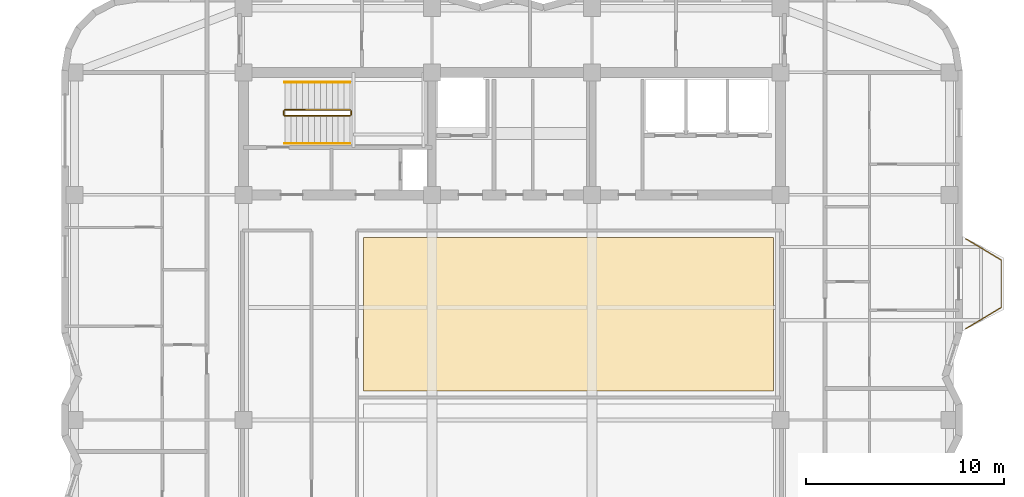
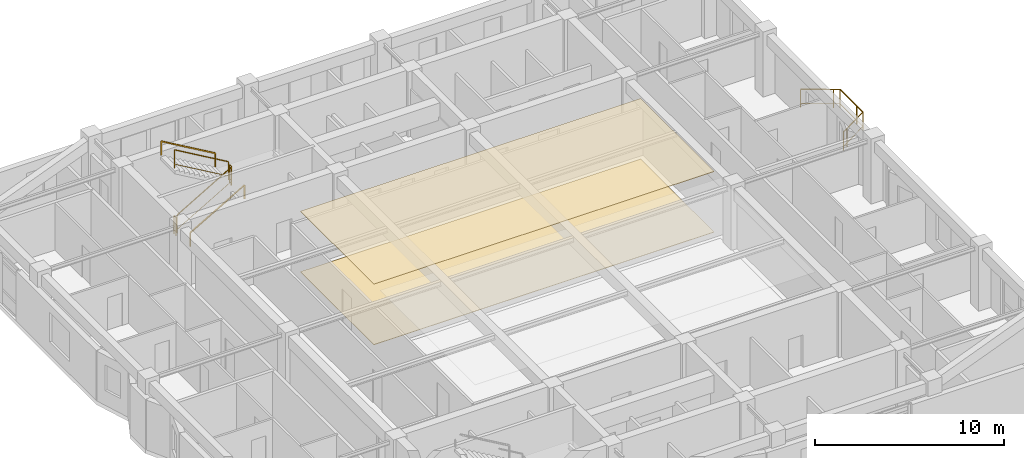
# One storey, part 11 of 11: 7 railings, 2 coverings.
"""IFC4 building model written with IfcOpenShell, lengths in metres."""

from ifc_helpers import new_model, si_unit, direction, frame, origin, origin_2d, place, context, subcontext, project, spatial, polyline, rectangle, outline, extrude, material, layer, layer_set, type_object, element, save


model = new_model("IFC4")

# Units and contexts
model_context = context("Model", 3, precision=1e-05, world=origin(), true_north=direction((0.0, 1.0)))
body_context = subcontext(model_context, "Body", "Model", "MODEL_VIEW")
ifc_project = project(units=[si_unit("LENGTHUNIT", "METRE"), si_unit("AREAUNIT", "SQUARE_METRE"), si_unit("VOLUMEUNIT", "CUBIC_METRE"), si_unit("PLANEANGLEUNIT", "RADIAN"), si_unit("MASSUNIT", "GRAM", prefix="KILO")], contexts=[model_context])

# Site, building, storey
site_placement = place(None, origin())
site = spatial("IfcSite", under=ifc_project, at=site_placement, CompositionType="ELEMENT")
building_placement = place(site_placement, origin())
building = spatial("IfcBuilding", under=site, at=building_placement, Name="Svetorya Sky Lyceum", CompositionType="ELEMENT")
storey_placement = place(building_placement, frame((0.0, 0.0, 203.10009765625)))
storey = spatial("IfcBuildingStorey", under=building, at=storey_placement, Name="L50", CompositionType="ELEMENT", Elevation=203.10009765625)

# Coverings
ifc_material_1 = material(Name="Fire-retardant birch acoustic slat ceiling")
ifc_layer_1 = layer(ifc_material_1, 0.031982421875)
ifc_layer_set_1 = layer_set([ifc_layer_1], Name="Fire-retardant birch acoustic slat ceiling")
covering_type_1 = type_object("IfcCoveringType", Name="COV-CLG-WD32", PredefinedType="CEILING", material=ifc_layer_set_1)
covering_1_placement = place(storey_placement, frame((0.0, 0.0, 3.907958984375)))
element("IfcCovering", 1, at=covering_1_placement, inside=storey, type_object=covering_type_1, Name="Sky Club L50 Lounge Acoustic Ceiling", PredefinedType="CEILING", context=body_context, shape_type="SweptSolid", body=[
    extrude(outline(polyline([(31.669921875, 29.678466796875), (52.449951171875, 29.678466796875), (52.449951171875, 37.449951171875), (31.669921875, 37.449951171875), (31.669921875, 29.678466796875)])), origin(), (0.0, 0.0, 1.0), 0.031982421875),
])
ifc_material_2 = material(Name="Vitrified porcelain slip-resistant tile flooring")
ifc_layer_2 = layer(ifc_material_2, 0.02587890625)
ifc_layer_set_2 = layer_set([ifc_layer_2], Name="Vitrified porcelain slip-resistant tile flooring")
covering_type_2 = type_object("IfcCoveringType", Name="COV-FLR-POR26", PredefinedType="FLOORING", material=ifc_layer_set_2)
covering_2_placement = place(storey_placement, origin())
element("IfcCovering", 2, at=covering_2_placement, inside=storey, type_object=covering_type_2, Name="Sky Club L50 Lounge Architectural Flooring", PredefinedType="FLOORING", context=body_context, shape_type="SweptSolid", body=[
    extrude(outline(polyline([(31.669921875, 29.678466796875), (52.449951171875, 29.678466796875), (52.449951171875, 37.449951171875), (31.669921875, 37.449951171875), (31.669921875, 29.678466796875)])), origin(), (0.0, 0.0, 1.0), 0.02587890625),
])

# Railings
ifc_material_3 = material(Name="Laminated safety glass and stainless AISI 316", Category="glass")
railing_type_1 = type_object("IfcRailingType", Name="RL-BAL-1200", PredefinedType="BALUSTRADE", material=ifc_material_3)
railing_1_placement = place(storey_placement, frame((62.169921875, 37.3798828125, 0.0)))
element("IfcRailing", 3, at=railing_1_placement, inside=storey, type_object=railing_type_1, Name="L50 Balcony Balustrade BAL-E1", PredefinedType="BALUSTRADE", context=body_context, shape_type="SweptSolid", body=[
    extrude(rectangle(XDim=0.048095703125, YDim=0.048095703125, at=origin_2d()), frame((0.0, 0.0, 1.17578125), z_axis=(0.85753397263, -0.514427337711, 0.0), x_axis=(0.514427337711, 0.85753397263, 0.0)), (0.0, 0.0, 1.0), 2.09912109375),
    extrude(rectangle(XDim=0.02392578125, YDim=0.02392578125, at=origin_2d()), frame((0.0, 0.0, 0.25), z_axis=(0.85753397263, -0.514427337711, 0.0), x_axis=(0.514427337711, 0.85753397263, 0.0)), (0.0, 0.0, 1.0), 2.09912109375),
    extrude(rectangle(XDim=0.048095703125, YDim=0.048095703125, at=origin_2d()), frame((1.800048828125, -1.079833984375, 1.17578125), z_axis=(0.0, -1.0, 0.0), x_axis=(1.0, 0.0, 0.0)), (0.0, 0.0, 1.0), 2.400146484375),
    extrude(rectangle(XDim=0.02392578125, YDim=0.02392578125, at=origin_2d()), frame((1.800048828125, -1.079833984375, 0.25), z_axis=(0.0, -1.0, 0.0), x_axis=(1.0, 0.0, 0.0)), (0.0, 0.0, 1.0), 2.400146484375),
    extrude(rectangle(XDim=0.048095703125, YDim=0.048095703125, at=origin_2d()), frame((1.800048828125, -3.47998046875, 1.17578125), z_axis=(-0.85753397263, -0.514427337711, 0.0), x_axis=(0.514427337711, -0.85753397263, 0.0)), (0.0, 0.0, 1.0), 2.09912109375),
    extrude(rectangle(XDim=0.02392578125, YDim=0.02392578125, at=origin_2d()), frame((1.800048828125, -3.47998046875, 0.25), z_axis=(-0.85753397263, -0.514427337711, 0.0), x_axis=(0.514427337711, -0.85753397263, 0.0)), (0.0, 0.0, 1.0), 2.09912109375),
    extrude(rectangle(XDim=0.0419921875, YDim=0.0419921875, at=origin_2d()), origin(), (0.0, 0.0, 1.0), 1.15185546875),
    extrude(rectangle(XDim=0.0419921875, YDim=0.0419921875, at=origin_2d()), frame((1.500732421875, -0.900146484375, 0.0)), (0.0, 0.0, 1.0), 1.15185546875),
    extrude(rectangle(XDim=0.0419921875, YDim=0.0419921875, at=origin_2d()), frame((1.800048828125, -1.079833984375, 0.0)), (0.0, 0.0, 1.0), 1.15185546875),
    extrude(rectangle(XDim=0.0419921875, YDim=0.0419921875, at=origin_2d()), frame((1.800048828125, -2.829833984375, 0.0)), (0.0, 0.0, 1.0), 1.15185546875),
    extrude(rectangle(XDim=0.0419921875, YDim=0.0419921875, at=origin_2d()), frame((1.800048828125, -3.47998046875, 0.0)), (0.0, 0.0, 1.0), 1.15185546875),
    extrude(rectangle(XDim=0.0419921875, YDim=0.0419921875, at=origin_2d()), frame((0.29931640625, -4.380126953125, 0.0)), (0.0, 0.0, 1.0), 1.15185546875),
    extrude(rectangle(XDim=0.0419921875, YDim=0.0419921875, at=origin_2d()), frame((0.0, -4.559814453125, 0.0)), (0.0, 0.0, 1.0), 1.15185546875),
])
ifc_material_4 = material(Name="Painted galvanized stair well guard")
railing_type_2 = type_object("IfcRailingType", Name="RL-STR-GUARD-1200", PredefinedType="GUARDRAIL", material=ifc_material_4)
railing_2_placement = place(storey_placement, frame((27.699951171875, 43.60009765625, 0.1748046875)))
element("IfcRailing", 4, at=railing_2_placement, inside=storey, type_object=railing_type_2, Name="L50 ST-N stair guard 1", PredefinedType="GUARDRAIL", context=body_context, shape_type="SweptSolid", body=[
    extrude(rectangle(XDim=0.048095703125, YDim=0.048095703125, at=origin_2d()), frame((0.0, 0.0, 1.17578125), z_axis=(0.863776583165, 0.0, 0.503874998761), x_axis=(0.0, 1.0, 0.0)), (0.0, 0.0, 1.0), 3.820556640625),
    extrude(rectangle(XDim=0.02392578125, YDim=0.02392578125, at=origin_2d()), frame((0.0, 0.0, 0.25), z_axis=(0.863776583165, 0.0, 0.503874998761), x_axis=(0.0, 1.0, 0.0)), (0.0, 0.0, 1.0), 3.820556640625),
    extrude(rectangle(XDim=0.0419921875, YDim=0.0419921875, at=origin_2d()), origin(), (0.0, 0.0, 1.0), 1.15185546875),
    extrude(rectangle(XDim=0.0419921875, YDim=0.0419921875, at=origin_2d()), frame((3.300048828125, 0.0, 1.925048828125)), (0.0, 0.0, 1.0), 1.15185546875),
])
railing_3_placement = place(storey_placement, frame((31.050048828125, 43.64990234375, 2.099853515625)))
element("IfcRailing", 5, at=railing_3_placement, inside=storey, type_object=railing_type_2, Name="L50 ST-N stair guard 2", PredefinedType="GUARDRAIL", context=body_context, shape_type="SweptSolid", body=[
    extrude(rectangle(XDim=0.048095703125, YDim=0.048095703125, at=origin_2d()), frame((0.0, 0.0, 1.17578125), z_axis=(0.0, 1.0, 0.0), x_axis=(-1.0, 0.0, 0.0)), (0.0, 0.0, 1.0), 0.2001953125),
    extrude(rectangle(XDim=0.02392578125, YDim=0.02392578125, at=origin_2d()), frame((0.0, 0.0, 0.25), z_axis=(0.0, 1.0, 0.0), x_axis=(-1.0, 0.0, 0.0)), (0.0, 0.0, 1.0), 0.2001953125),
    extrude(rectangle(XDim=0.0419921875, YDim=0.0419921875, at=origin_2d()), origin(), (0.0, 0.0, 1.0), 1.15185546875),
    extrude(rectangle(XDim=0.0419921875, YDim=0.0419921875, at=origin_2d()), frame((0.0, 0.2001953125, 0.0)), (0.0, 0.0, 1.0), 1.15185546875),
])
railing_4_placement = place(storey_placement, frame((31.0, 43.89990234375, 2.27490234375)))
element("IfcRailing", 6, at=railing_4_placement, inside=storey, type_object=railing_type_2, Name="L50 ST-N stair guard 3", PredefinedType="GUARDRAIL", context=body_context, shape_type="SweptSolid", body=[
    extrude(rectangle(XDim=0.048095703125, YDim=0.048095703125, at=origin_2d()), frame((0.0, 0.0, 1.17578125), z_axis=(-0.863776583165, 0.0, 0.503874998761), x_axis=(0.0, -1.0, 0.0)), (0.0, 0.0, 1.0), 3.820556640625),
    extrude(rectangle(XDim=0.02392578125, YDim=0.02392578125, at=origin_2d()), frame((0.0, 0.0, 0.25), z_axis=(-0.863776583165, 0.0, 0.503874998761), x_axis=(0.0, -1.0, 0.0)), (0.0, 0.0, 1.0), 3.820556640625),
    extrude(rectangle(XDim=0.0419921875, YDim=0.0419921875, at=origin_2d()), origin(), (0.0, 0.0, 1.0), 1.15185546875),
    extrude(rectangle(XDim=0.0419921875, YDim=0.0419921875, at=origin_2d()), frame((-3.300048828125, 0.0, 1.925048828125)), (0.0, 0.0, 1.0), 1.15185546875),
])
railing_5_placement = place(storey_placement, frame((27.64990234375, 43.64990234375, 0.0)))
element("IfcRailing", 7, at=railing_5_placement, inside=storey, type_object=railing_type_2, Name="L50 ST-N stair guard 4", PredefinedType="GUARDRAIL", context=body_context, shape_type="SweptSolid", body=[
    extrude(rectangle(XDim=0.048095703125, YDim=0.048095703125, at=origin_2d()), frame((0.0, 0.0, 1.17578125), z_axis=(0.0, 1.0, 0.0), x_axis=(-1.0, 0.0, 0.0)), (0.0, 0.0, 1.0), 0.2001953125),
    extrude(rectangle(XDim=0.02392578125, YDim=0.02392578125, at=origin_2d()), frame((0.0, 0.0, 0.25), z_axis=(0.0, 1.0, 0.0), x_axis=(-1.0, 0.0, 0.0)), (0.0, 0.0, 1.0), 0.2001953125),
    extrude(rectangle(XDim=0.0419921875, YDim=0.0419921875, at=origin_2d()), origin(), (0.0, 0.0, 1.0), 1.15185546875),
    extrude(rectangle(XDim=0.0419921875, YDim=0.0419921875, at=origin_2d()), frame((0.0, 0.2001953125, 0.0)), (0.0, 0.0, 1.0), 1.15185546875),
])
ifc_material_5 = material(Name="Brushed stainless AISI 304 stair handrail")
railing_type_3 = type_object("IfcRailingType", Name="RL-STR-HAND-920", PredefinedType="HANDRAIL", material=ifc_material_5)
railing_6_placement = place(storey_placement, frame((27.699951171875, 42.199951171875, 0.1748046875)))
element("IfcRailing", 8, at=railing_6_placement, inside=storey, type_object=railing_type_3, Name="L50 ST-N stair handrail 1", PredefinedType="HANDRAIL", context=body_context, shape_type="SweptSolid", body=[
    extrude(rectangle(XDim=0.048095703125, YDim=0.048095703125, at=origin_2d()), frame((0.0, 0.0, 0.8759765625), z_axis=(0.863776583165, 0.0, 0.503874998761), x_axis=(0.0, 1.0, 0.0)), (0.0, 0.0, 1.0), 3.820556640625),
    extrude(rectangle(XDim=0.0419921875, YDim=0.0419921875, at=origin_2d()), origin(), (0.0, 0.0, 1.0), 0.851806640625),
    extrude(rectangle(XDim=0.0419921875, YDim=0.0419921875, at=origin_2d()), frame((3.300048828125, 0.0, 1.925048828125)), (0.0, 0.0, 1.0), 0.851806640625),
])
railing_7_placement = place(storey_placement, frame((31.0, 45.300048828125, 2.27490234375)))
element("IfcRailing", 9, at=railing_7_placement, inside=storey, type_object=railing_type_3, Name="L50 ST-N stair handrail 2", PredefinedType="HANDRAIL", context=body_context, shape_type="SweptSolid", body=[
    extrude(rectangle(XDim=0.048095703125, YDim=0.048095703125, at=origin_2d()), frame((0.0, 0.0, 0.8759765625), z_axis=(-0.863776583165, 0.0, 0.503874998761), x_axis=(0.0, -1.0, 0.0)), (0.0, 0.0, 1.0), 3.820556640625),
    extrude(rectangle(XDim=0.0419921875, YDim=0.0419921875, at=origin_2d()), origin(), (0.0, 0.0, 1.0), 0.851806640625),
    extrude(rectangle(XDim=0.0419921875, YDim=0.0419921875, at=origin_2d()), frame((-3.300048828125, 0.0, 1.925048828125)), (0.0, 0.0, 1.0), 0.851806640625),
])

save(model, "model.ifc")
